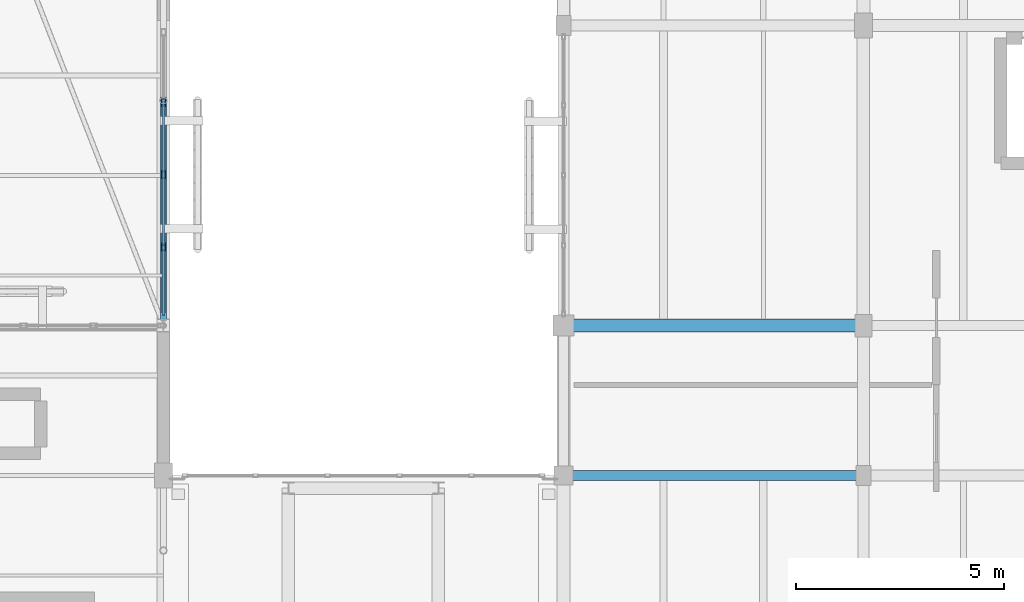
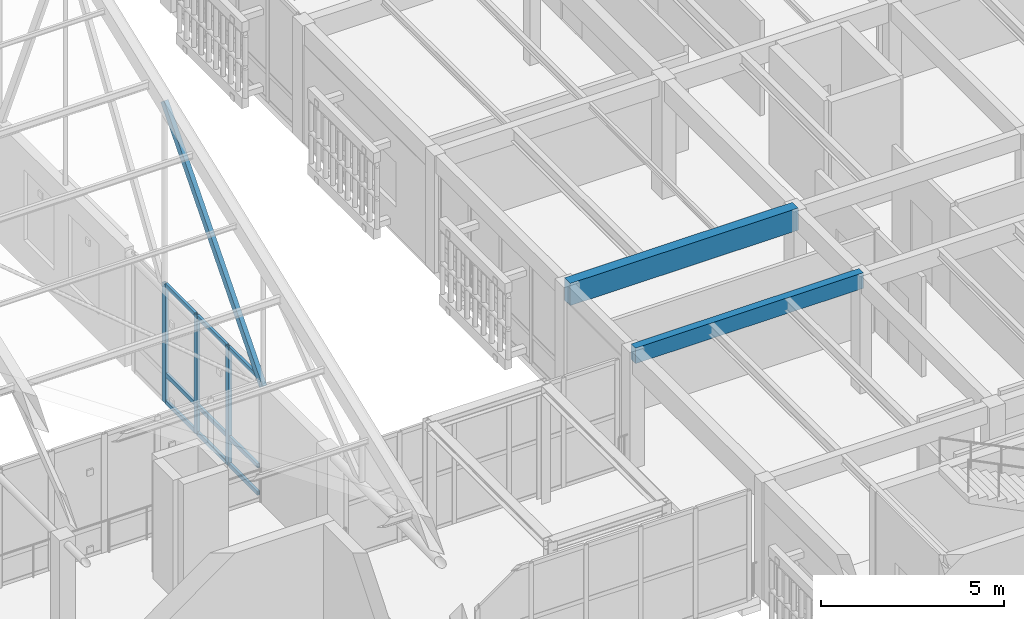
# One storey, part 110 of 217: 13 members, 2 beams, 1 element without a shape of its own.
"""IFC4 building model written with IfcOpenShell, lengths in metres."""

from ifc_helpers import new_model, si_unit, direction, frame, origin, origin_2d, place, context, subcontext, project, spatial, rectangle, hollow_rectangle, extrude, material, layer, layer_set, material_profile, profile_set, type_object, element, aggregate, save


model = new_model("IFC4")

# Units and contexts
model_context = context("Model", 3, precision=1e-05, world=origin(), true_north=direction((0.0, 1.0)))
body_context = subcontext(model_context, "Body", "Model", "MODEL_VIEW")
ifc_project = project(units=[si_unit("LENGTHUNIT", "METRE"), si_unit("AREAUNIT", "SQUARE_METRE"), si_unit("VOLUMEUNIT", "CUBIC_METRE"), si_unit("PLANEANGLEUNIT", "RADIAN"), si_unit("MASSUNIT", "GRAM", prefix="KILO")], contexts=[model_context])

# Site, building, storey
site_placement = place(None, origin())
site = spatial("IfcSite", under=ifc_project, at=site_placement, CompositionType="ELEMENT")
building_placement = place(site_placement, origin())
building = spatial("IfcBuilding", under=site, at=building_placement, Name="Mazaris Harbour Polytechnic", CompositionType="ELEMENT")
storey_placement = place(building_placement, frame((0.0, 0.0, 9.60009765625)))
storey = spatial("IfcBuildingStorey", under=building, at=storey_placement, Name="L02", CompositionType="ELEMENT", Elevation=9.60009765625)

# Curtain wall, members
ifc_material_1 = material(Name="Anodised Bronze Aluminium and Low-E Glass", Category="aluminium")
ifc_layer = layer(ifc_material_1, 0.14990234375, Name="Anodised Bronze Aluminium and Low-E Glass")
ifc_layer_set = layer_set([ifc_layer], Name="Anodised Bronze Aluminium and Low-E Glass")
curtain_wall_type = type_object("IfcCurtainWallType", Name="Workshop Clerestory Curtain Wall", PredefinedType="NOTDEFINED", material=ifc_layer_set)
curtain_wall_placement = place(storey_placement, origin())
curtain_wall = element("IfcCurtainWall", 1, at=curtain_wall_placement, inside=storey, type_object=curtain_wall_type, Name="V1 L02 Curtain Wall 35", PredefinedType="NOTDEFINED")
ifc_material_2 = material(Name="Anodised Bronze Steel S355", Category="steel")
ifc_material_profile_1 = material_profile(ifc_material_2, hollow_rectangle(XDim=0.10009765625, YDim=0.179931640625, WallThickness=0.008056640625, at=origin_2d()), Name="RHS 100x180x8.0")
ifc_profile_set_1 = profile_set([ifc_material_profile_1], Name="Anodised Bronze Steel S355")
member_type_1 = type_object("IfcMemberType", Name="Curtain Mullion RHS100x180", PredefinedType="MULLION", material=ifc_profile_set_1)
member_1_placement = place(storey_placement, frame((112.800048828125, 91.75146484375, 0.0), z_axis=(0.0, 0.0, 1.0), x_axis=(1.0, 0.0, 0.0)))
member_1 = element("IfcMember", 2, at=member_1_placement, type_object=member_type_1, Name="CW-04 mullion 2", PredefinedType="MULLION", context=body_context, shape_type="SweptSolid", body=[
    extrude(hollow_rectangle(XDim=0.10009765625, YDim=0.179931640625, WallThickness=0.008056640625, at=origin_2d()), origin(), (0.0, 0.0, 1.0), 3.9599609375),
])
member_2_placement = place(storey_placement, frame((112.800048828125, 90.02001953125, 0.0), z_axis=(0.0, 0.0, 1.0), x_axis=(1.0, 0.0, 0.0)))
member_2 = element("IfcMember", 3, at=member_2_placement, type_object=member_type_1, Name="CW-04 mullion 3", PredefinedType="MULLION", context=body_context, shape_type="SweptSolid", body=[
    extrude(hollow_rectangle(XDim=0.10009765625, YDim=0.179931640625, WallThickness=0.008056640625, at=origin_2d()), origin(), (0.0, 0.0, 1.0), 3.9599609375),
])
member_3_placement = place(storey_placement, frame((112.800048828125, 88.28857421875, 0.0), z_axis=(0.0, 0.0, 1.0), x_axis=(1.0, 0.0, 0.0)))
member_3 = element("IfcMember", 4, at=member_3_placement, type_object=member_type_1, Name="CW-04 mullion 4", PredefinedType="MULLION", context=body_context, shape_type="SweptSolid", body=[
    extrude(hollow_rectangle(XDim=0.10009765625, YDim=0.179931640625, WallThickness=0.008056640625, at=origin_2d()), origin(), (0.0, 0.0, 1.0), 3.9599609375),
])
ifc_material_3 = material(Name="Anodised Bronze Steel S355", Category="steel")
ifc_material_profile_2 = material_profile(ifc_material_3, hollow_rectangle(XDim=0.080078125, YDim=0.139892578125, WallThickness=0.00634765625, at=origin_2d()), Name="RHS 80x140x6.3")
ifc_profile_set_2 = profile_set([ifc_material_profile_2], Name="Anodised Bronze Steel S355")
member_type_2 = type_object("IfcMemberType", Name="Curtain Transom RHS80x140", PredefinedType="USERDEFINED", material=ifc_profile_set_2)
member_4_placement = place(storey_placement, frame((112.800048828125, 91.701416015625, 0.039794921875), z_axis=(0.0, -1.0, 0.0), x_axis=(1.0, 0.0, 0.0)))
member_4 = element("IfcMember", 5, at=member_4_placement, type_object=member_type_2, Name="CW-04 transom 2.1", ObjectType="TRANSOM", PredefinedType="USERDEFINED", context=body_context, shape_type="SweptSolid", body=[
    extrude(hollow_rectangle(XDim=0.080078125, YDim=0.139892578125, WallThickness=0.00634765625, at=origin_2d()), origin(), (0.0, 0.0, 1.0), 1.63134765625),
])
member_5_placement = place(storey_placement, frame((112.800048828125, 91.701416015625, 0.949951171875), z_axis=(0.0, -1.0, 0.0), x_axis=(1.0, 0.0, 0.0)))
member_5 = element("IfcMember", 6, at=member_5_placement, type_object=member_type_2, Name="CW-04 transom 2.2", ObjectType="TRANSOM", PredefinedType="USERDEFINED", context=body_context, shape_type="SweptSolid", body=[
    extrude(hollow_rectangle(XDim=0.080078125, YDim=0.139892578125, WallThickness=0.00634765625, at=origin_2d()), origin(), (0.0, 0.0, 1.0), 1.63134765625),
])
member_6_placement = place(storey_placement, frame((112.800048828125, 91.701416015625, 3.919921875), z_axis=(0.0, -1.0, 0.0), x_axis=(1.0, 0.0, 0.0)))
member_6 = element("IfcMember", 7, at=member_6_placement, type_object=member_type_2, Name="CW-04 transom 2.3", ObjectType="TRANSOM", PredefinedType="USERDEFINED", context=body_context, shape_type="SweptSolid", body=[
    extrude(hollow_rectangle(XDim=0.080078125, YDim=0.139892578125, WallThickness=0.00634765625, at=origin_2d()), origin(), (0.0, 0.0, 1.0), 1.63134765625),
])
member_7_placement = place(storey_placement, frame((112.800048828125, 89.969970703125, 0.039794921875), z_axis=(0.0, -1.0, 0.0), x_axis=(1.0, 0.0, 0.0)))
member_7 = element("IfcMember", 8, at=member_7_placement, type_object=member_type_2, Name="CW-04 transom 3.1", ObjectType="TRANSOM", PredefinedType="USERDEFINED", context=body_context, shape_type="SweptSolid", body=[
    extrude(hollow_rectangle(XDim=0.080078125, YDim=0.139892578125, WallThickness=0.00634765625, at=origin_2d()), origin(), (0.0, 0.0, 1.0), 1.631591796875),
])
member_8_placement = place(storey_placement, frame((112.800048828125, 89.969970703125, 0.949951171875), z_axis=(0.0, -1.0, 0.0), x_axis=(1.0, 0.0, 0.0)))
member_8 = element("IfcMember", 9, at=member_8_placement, type_object=member_type_2, Name="CW-04 transom 3.2", ObjectType="TRANSOM", PredefinedType="USERDEFINED", context=body_context, shape_type="SweptSolid", body=[
    extrude(hollow_rectangle(XDim=0.080078125, YDim=0.139892578125, WallThickness=0.00634765625, at=origin_2d()), origin(), (0.0, 0.0, 1.0), 1.631591796875),
])
member_9_placement = place(storey_placement, frame((112.800048828125, 89.969970703125, 3.919921875), z_axis=(0.0, -1.0, 0.0), x_axis=(1.0, 0.0, 0.0)))
member_9 = element("IfcMember", 10, at=member_9_placement, type_object=member_type_2, Name="CW-04 transom 3.3", ObjectType="TRANSOM", PredefinedType="USERDEFINED", context=body_context, shape_type="SweptSolid", body=[
    extrude(hollow_rectangle(XDim=0.080078125, YDim=0.139892578125, WallThickness=0.00634765625, at=origin_2d()), origin(), (0.0, 0.0, 1.0), 1.631591796875),
])
member_10_placement = place(storey_placement, frame((112.800048828125, 88.238525390625, 0.039794921875), z_axis=(0.0, -1.0, 0.0), x_axis=(1.0, 0.0, 0.0)))
member_10 = element("IfcMember", 11, at=member_10_placement, type_object=member_type_2, Name="CW-04 transom 4.1", ObjectType="TRANSOM", PredefinedType="USERDEFINED", context=body_context, shape_type="SweptSolid", body=[
    extrude(hollow_rectangle(XDim=0.080078125, YDim=0.139892578125, WallThickness=0.00634765625, at=origin_2d()), origin(), (0.0, 0.0, 1.0), 1.58154296875),
])
member_11_placement = place(storey_placement, frame((112.800048828125, 88.238525390625, 0.949951171875), z_axis=(0.0, -1.0, 0.0), x_axis=(1.0, 0.0, 0.0)))
member_11 = element("IfcMember", 12, at=member_11_placement, type_object=member_type_2, Name="CW-04 transom 4.2", ObjectType="TRANSOM", PredefinedType="USERDEFINED", context=body_context, shape_type="SweptSolid", body=[
    extrude(hollow_rectangle(XDim=0.080078125, YDim=0.139892578125, WallThickness=0.00634765625, at=origin_2d()), origin(), (0.0, 0.0, 1.0), 1.58154296875),
])
member_12_placement = place(storey_placement, frame((112.800048828125, 88.238525390625, 3.919921875), z_axis=(0.0, -1.0, 0.0), x_axis=(1.0, 0.0, 0.0)))
member_12 = element("IfcMember", 13, at=member_12_placement, type_object=member_type_2, Name="CW-04 transom 4.3", ObjectType="TRANSOM", PredefinedType="USERDEFINED", context=body_context, shape_type="SweptSolid", body=[
    extrude(hollow_rectangle(XDim=0.080078125, YDim=0.139892578125, WallThickness=0.00634765625, at=origin_2d()), origin(), (0.0, 0.0, 1.0), 1.58154296875),
])
aggregate(curtain_wall, [member_1, member_2, member_3, member_4, member_5, member_6, member_7, member_8, member_9, member_10, member_11, member_12])

# Beams
ifc_material_4 = material(Name="Glulam GL32h", Category="wood")
ifc_material_profile_3 = material_profile(ifc_material_4, rectangle(XDim=0.239990234375, YDim=0.52001953125, at=origin_2d()), Name="RECT240x520")
ifc_profile_set_3 = profile_set([ifc_material_profile_3], Name="Glulam GL32h")
beam_type_1 = type_object("IfcBeamType", Name="Glulam Girder 240x520", PredefinedType="BEAM", material=ifc_profile_set_3)
beam_1_placement = place(storey_placement, frame((122.39990234375, 82.800048828125, 3.659912109375), z_axis=(1.0, 0.0, 0.0), x_axis=(0.0, 1.0, 0.0)))
element("IfcBeam", 14, at=beam_1_placement, inside=storey, type_object=beam_type_1, Name="V5 L02 Girder 3145", PredefinedType="BEAM", context=body_context, shape_type="SweptSolid", body=[
    extrude(rectangle(XDim=0.239990234375, YDim=0.52001953125, at=origin_2d()), origin(), (0.0, 0.0, 1.0), 7.2001953125),
])
ifc_material_5 = material(Name="Glulam GL32h", Category="wood")
ifc_material_profile_4 = material_profile(ifc_material_5, rectangle(XDim=0.320068359375, YDim=0.739990234375, at=origin_2d()), Name="RECT320x740")
ifc_profile_set_4 = profile_set([ifc_material_profile_4], Name="Glulam GL32h")
beam_type_2 = type_object("IfcBeamType", Name="Glulam Girder 320x740", PredefinedType="BEAM", material=ifc_profile_set_4)
beam_2_placement = place(storey_placement, frame((122.39990234375, 86.39990234375, 3.5498046875), z_axis=(1.0, 0.0, 0.0), x_axis=(0.0, 1.0, 0.0)))
element("IfcBeam", 15, at=beam_2_placement, inside=storey, type_object=beam_type_2, Name="V5 L02 Girder 3149", PredefinedType="BEAM", context=body_context, shape_type="SweptSolid", body=[
    extrude(rectangle(XDim=0.320068359375, YDim=0.739990234375, at=origin_2d()), origin(), (0.0, 0.0, 1.0), 7.2001953125),
])

# Member
ifc_material_6 = material(Name="Steel S355", Category="steel")
ifc_material_profile_5 = material_profile(ifc_material_6, hollow_rectangle(XDim=0.139892578125, YDim=0.239990234375, WallThickness=0.010009765625, at=origin_2d()), Name="RHS 140x240x10.0")
ifc_profile_set_5 = profile_set([ifc_material_profile_5], Name="Steel S355")
member_type_3 = type_object("IfcMemberType", Name="Steel Truss Diagonal RHS140x240", PredefinedType="BRACE", material=ifc_profile_set_5)
member_13_placement = place(storey_placement, frame((112.800048828125, 86.39990234375, 3.75), z_axis=(0.0, 0.653042406465, 0.757321342205), x_axis=(-1.0, 0.0, 0.0)))
element("IfcMember", 16, at=member_13_placement, inside=storey, type_object=member_type_3, Name="Truss 8 Web Diagonal S3", PredefinedType="BRACE", context=body_context, shape_type="SweptSolid", body=[
    extrude(hollow_rectangle(XDim=0.139892578125, YDim=0.239990234375, WallThickness=0.010009765625, at=origin_2d()), origin(), (0.0, 0.0, 1.0), 8.269287109375),
])

save(model, "model.ifc")
